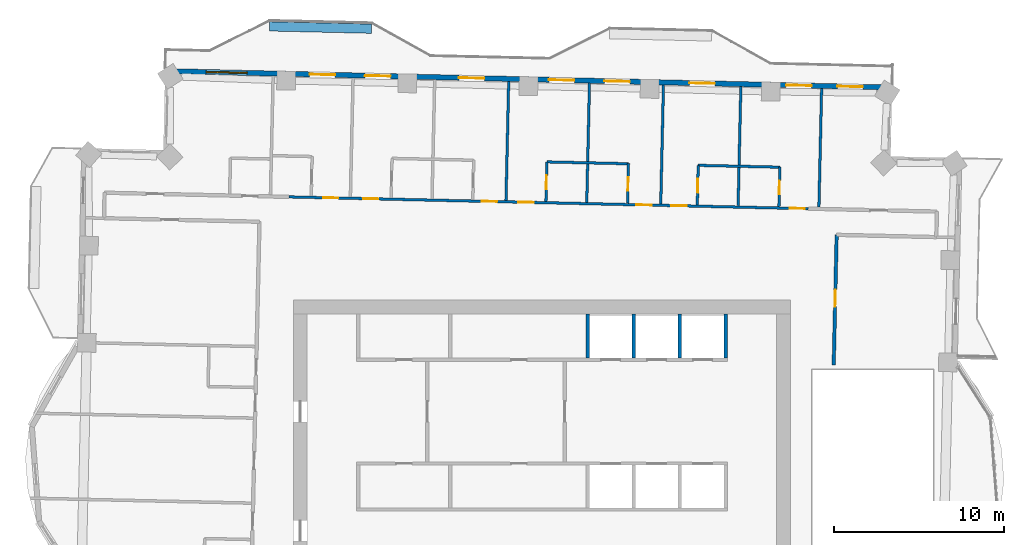
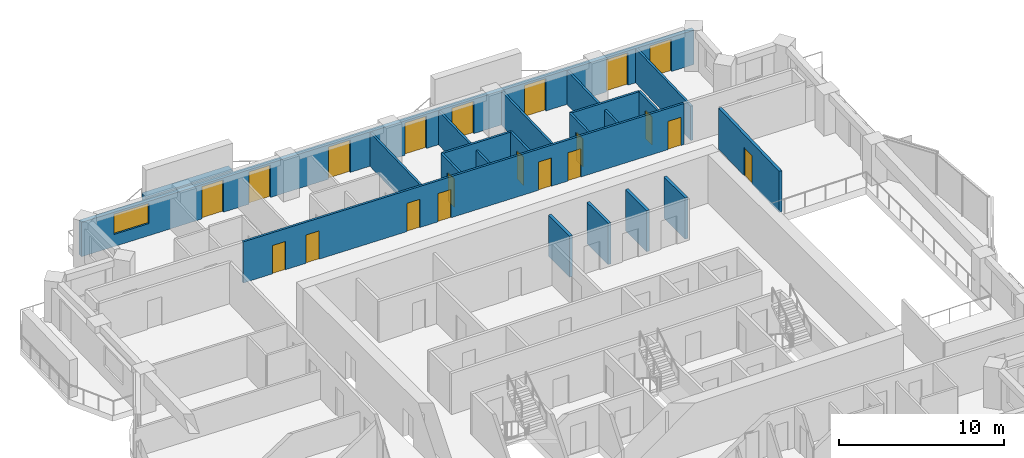
# One storey, part 11 of 16: 20 doors, 19 walls, 1 window, 21 openings.
"""IFC4 building model written with IfcOpenShell, lengths in metres."""

from ifc_helpers import new_model, si_unit, direction, frame, frame_2d, origin, place, context, subcontext, project, spatial, rectangle, extrude, material, layer, layer_set, type_object, element, fill, save


model = new_model("IFC4")

# Units and contexts
model_context = context("Model", 3, precision=1e-05, world=origin(), true_north=direction((0.0, 1.0)))
body_context = subcontext(model_context, "Body", "Model", "MODEL_VIEW")
ifc_project = project(units=[si_unit("LENGTHUNIT", "METRE"), si_unit("AREAUNIT", "SQUARE_METRE"), si_unit("VOLUMEUNIT", "CUBIC_METRE"), si_unit("PLANEANGLEUNIT", "RADIAN"), si_unit("MASSUNIT", "GRAM", prefix="KILO")], contexts=[model_context])

# Site, building, storey
site_placement = place(None, origin())
site = spatial("IfcSite", under=ifc_project, at=site_placement, CompositionType="ELEMENT")
building_placement = place(site_placement, origin())
building = spatial("IfcBuilding", under=site, at=building_placement, Name="Mangrove Gate Tower", CompositionType="ELEMENT")
storey_placement = place(building_placement, frame((0.0, 0.0, 215.89990234375)))
storey = spatial("IfcBuildingStorey", under=building, at=storey_placement, Name="L55", CompositionType="ELEMENT", Elevation=215.89990234375)

# Walls
ifc_material_1 = material(Name="Concrete C60/75", Category="concrete")
ifc_layer_1 = layer(ifc_material_1, 0.199951171875)
ifc_layer_set_1 = layer_set([ifc_layer_1], Name="Core shaft wall 200 C60/75")
wall_type_1 = type_object("IfcWallType", Name="Core shaft wall 200 C60/75", PredefinedType="SHEAR", material=ifc_layer_set_1)
for number, where, z_axis, x_axis, name in (
    (1, (2.699951171875, 8.199951171875, 0.0), (0.0, 0.0, 1.0), (0.0, 1.0, 0.0), "WALL-L55-CORE-27"),
    (2, (5.39990234375, 8.199951171875, 0.0), (0.0, 0.0, 1.0), (0.0, 1.0, 0.0), "WALL-L55-CORE-28"),
    (3, (8.10009765625, 8.199951171875, 0.0), (0.0, 0.0, 1.0), (0.0, 1.0, 0.0), "WALL-L55-CORE-29"),
    (4, (10.800048828125, 8.199951171875, 0.0), (0.0, 0.0, 1.0), (0.0, 1.0, 0.0), "WALL-L55-CORE-30"),
):
    element("IfcWall", number, at=place(storey_placement, frame(where, z_axis=z_axis, x_axis=x_axis)), inside=storey, type_object=wall_type_1, Name=name, PredefinedType="SHEAR", context=body_context, shape_type="SweptSolid", body=[
        extrude(rectangle(XDim=2.60009765625, YDim=0.199951171875, at=frame_2d((1.300048828125, 0.0))), origin(), (0.0, 0.0, 1.0), 3.050048828125),
    ])

# Wall, opening, door
ifc_material_2 = material(Name="Gypsum board on steel stud, EI 60", Category="steel")
ifc_layer_2 = layer(ifc_material_2, 0.199951171875)
ifc_layer_set_2 = layer_set([ifc_layer_2], Name="Corridor wall EI 60")
wall_type_2 = type_object("IfcWallType", Name="Corridor wall EI 60", PredefinedType="PARTITIONING", material=ifc_layer_set_2)
wall_1_placement = place(storey_placement, frame((17.154052734375, 7.785888671875, 0.0), z_axis=(0.0, 0.0, 1.0), x_axis=(0.022680883318, 0.999742755679, 0.0)))
wall_1 = element("IfcWall", 5, at=wall_1_placement, inside=storey, type_object=wall_type_2, Name="WALL-L55-043", PredefinedType="PARTITIONING", context=body_context, shape_type="SweptSolid", body=[
    extrude(rectangle(XDim=7.6640625, YDim=0.199951171875, at=frame_2d((3.83203125, 0.0))), origin(), (0.0, 0.0, 1.0), 3.050048828125),
])
opening_1_placement = place(wall_1_placement, frame((3.43408203125, 0.0, 0.0)))
opening_1 = element("IfcOpeningElement", 6, at=opening_1_placement, cuts=wall_1, Name="Opening AD", PredefinedType="OPENING", context=body_context, shape_type="SweptSolid", body=[
    extrude(rectangle(XDim=1.0, YDim=2.10009765625, at=frame_2d((0.5, 1.050048828125))), frame((0.0, 0.10986328125, 0.0), z_axis=(0.0, -1.0, 0.0), x_axis=(1.0, 0.0, 0.0)), (0.0, 0.0, 1.0), 0.219970703125),
])
ifc_material_3 = material(Name="Timber door leaf", Category="wood")
door_type_1 = type_object("IfcDoorType", Name="Amenity door 1000", OperationType="SINGLE_SWING_LEFT", PredefinedType="DOOR", material=ifc_material_3)
door_1_placement = place(opening_1_placement, origin())
door_1 = element("IfcDoor", 7, at=door_1_placement, inside=storey, type_object=door_type_1, Name="DOOR-L55-LNG-c3b", OperationType="SINGLE_SWING_RIGHT", OverallHeight=2.10009765625, OverallWidth=1.0, PredefinedType="DOOR", context=body_context, shape_type="SweptSolid", body=[
    extrude(rectangle(XDim=1.0, YDim=2.10009765625, at=frame_2d((0.5, 1.050048828125))), frame((0.0, 0.02490234375, 0.0), z_axis=(0.0, -1.0, 0.0), x_axis=(1.0, 0.0, 0.0)), (0.0, 0.0, 1.0), 0.050048828125),
])
fill(opening_1, door_1)

# Wall, openings, doors, window
ifc_material_4 = material(Name="Limestone", Category="masonry")
ifc_layer_3 = layer(ifc_material_4, 0.0400390625, Name="Limestone cladding")
ifc_material_5 = material(Name="Ventilated air gap")
ifc_layer_4 = layer(ifc_material_5, 0.0400390625, Name="Ventilated cavity")
ifc_material_6 = material(Name="Mineral wool insulation")
ifc_layer_5 = layer(ifc_material_6, 0.06005859375, Name="Insulation")
ifc_material_7 = material(Name="Breather membrane")
ifc_layer_6 = layer(ifc_material_7, 0.001953125, Name="Breather membrane")
ifc_material_8 = material(Name="Concrete C20/25 blockwork", Category="masonry")
ifc_layer_7 = layer(ifc_material_8, 0.14990234375, Name="Blockwork backing wall")
ifc_material_9 = material(Name="Gypsum plaster")
ifc_layer_8 = layer(ifc_material_9, 0.008056640625, Name="Internal plaster")
ifc_layer_set_3 = layer_set([ifc_layer_3, ifc_layer_4, ifc_layer_5, ifc_layer_6, ifc_layer_7, ifc_layer_8], Name="External wall 300 limestone cladding")
wall_type_3 = type_object("IfcWallType", Name="External wall 300 limestone cladding", PredefinedType="SOLIDWALL", material=ifc_layer_set_3)
wall_2_placement = place(storey_placement, frame((20.43701171875, 24.10595703125, 0.0), z_axis=(0.0, 0.0, 1.0), x_axis=(-0.999742506232, 0.022691875925, 0.0)))
wall_2 = element("IfcWall", 8, at=wall_2_placement, inside=storey, type_object=wall_type_3, Name="WALL-L55-N5", PredefinedType="SOLIDWALL", context=body_context, shape_type="SweptSolid", body=[
    extrude(rectangle(XDim=42.444091796875, YDim=0.300048828125, at=frame_2d((21.22216796875, 0.0))), origin(), (0.0, 0.0, 1.0), 2.550048828125),
])
opening_2_placement = place(wall_2_placement, frame((1.56298828125, 0.0, 0.0)))
opening_2 = element("IfcOpeningElement", 9, at=opening_2_placement, cuts=wall_2, Name="Opening BD1", PredefinedType="OPENING", context=body_context, shape_type="SweptSolid", body=[
    extrude(rectangle(XDim=1.5, YDim=2.39990234375, at=frame_2d((0.75, 1.199951171875))), frame((0.0, 0.159912109375, 0.0), z_axis=(0.0, -1.0, 0.0), x_axis=(1.0, 0.0, 0.0)), (0.0, 0.0, 1.0), 0.320068359375),
])
opening_3_placement = place(wall_2_placement, frame((4.583984375, 0.0, 0.0)))
opening_3 = element("IfcOpeningElement", 10, at=opening_3_placement, cuts=wall_2, Name="Opening BD1", PredefinedType="OPENING", context=body_context, shape_type="SweptSolid", body=[
    extrude(rectangle(XDim=1.5, YDim=2.39990234375, at=frame_2d((0.75, 1.199951171875))), frame((0.0, 0.159912109375, 0.0), z_axis=(0.0, -1.0, 0.0), x_axis=(1.0, 0.0, 0.0)), (0.0, 0.0, 1.0), 0.320068359375),
])
opening_4_placement = place(wall_2_placement, frame((10.26904296875, 0.0, 0.0)))
opening_4 = element("IfcOpeningElement", 11, at=opening_4_placement, cuts=wall_2, Name="Opening BD1", PredefinedType="OPENING", context=body_context, shape_type="SweptSolid", body=[
    extrude(rectangle(XDim=1.5, YDim=2.39990234375, at=frame_2d((0.75, 1.199951171875))), frame((0.0, 0.159912109375, 0.0), z_axis=(0.0, -1.0, 0.0), x_axis=(1.0, 0.0, 0.0)), (0.0, 0.0, 1.0), 0.320068359375),
])
opening_5_placement = place(wall_2_placement, frame((15.27099609375, 0.0, 0.0)))
opening_5 = element("IfcOpeningElement", 12, at=opening_5_placement, cuts=wall_2, Name="Opening BD1", PredefinedType="OPENING", context=body_context, shape_type="SweptSolid", body=[
    extrude(rectangle(XDim=1.5, YDim=2.39990234375, at=frame_2d((0.75, 1.199951171875))), frame((0.0, 0.159912109375, 0.0), z_axis=(0.0, -1.0, 0.0), x_axis=(1.0, 0.0, 0.0)), (0.0, 0.0, 1.0), 0.320068359375),
])
opening_6_placement = place(wall_2_placement, frame((18.532958984375, 0.0, 0.0)))
opening_6 = element("IfcOpeningElement", 13, at=opening_6_placement, cuts=wall_2, Name="Opening BD1", PredefinedType="OPENING", context=body_context, shape_type="SweptSolid", body=[
    extrude(rectangle(XDim=1.5, YDim=2.39990234375, at=frame_2d((0.75, 1.199951171875))), frame((0.0, 0.159912109375, 0.0), z_axis=(0.0, -1.0, 0.0), x_axis=(1.0, 0.0, 0.0)), (0.0, 0.0, 1.0), 0.320068359375),
])
opening_7_placement = place(wall_2_placement, frame((23.819091796875, 0.0, 0.0)))
opening_7 = element("IfcOpeningElement", 14, at=opening_7_placement, cuts=wall_2, Name="Opening BD1", PredefinedType="OPENING", context=body_context, shape_type="SweptSolid", body=[
    extrude(rectangle(XDim=1.5, YDim=2.39990234375, at=frame_2d((0.75, 1.199951171875))), frame((0.0, 0.159912109375, 0.0), z_axis=(0.0, -1.0, 0.0), x_axis=(1.0, 0.0, 0.0)), (0.0, 0.0, 1.0), 0.320068359375),
])
opening_8_placement = place(wall_2_placement, frame((29.344970703125, 0.0, 0.0)))
opening_8 = element("IfcOpeningElement", 15, at=opening_8_placement, cuts=wall_2, Name="Opening BD1", PredefinedType="OPENING", context=body_context, shape_type="SweptSolid", body=[
    extrude(rectangle(XDim=1.5, YDim=2.39990234375, at=frame_2d((0.75, 1.199951171875))), frame((0.0, 0.159912109375, 0.0), z_axis=(0.0, -1.0, 0.0), x_axis=(1.0, 0.0, 0.0)), (0.0, 0.0, 1.0), 0.320068359375),
])
opening_9_placement = place(wall_2_placement, frame((32.60693359375, 0.0, 0.0)))
opening_9 = element("IfcOpeningElement", 16, at=opening_9_placement, cuts=wall_2, Name="Opening BD1", PredefinedType="OPENING", context=body_context, shape_type="SweptSolid", body=[
    extrude(rectangle(XDim=1.5, YDim=2.39990234375, at=frame_2d((0.75, 1.199951171875))), frame((0.0, 0.159912109375, 0.0), z_axis=(0.0, -1.0, 0.0), x_axis=(1.0, 0.0, 0.0)), (0.0, 0.0, 1.0), 0.320068359375),
])
opening_10_placement = place(wall_2_placement, frame((37.782958984375, 0.0, 0.89990234375)))
opening_10 = element("IfcOpeningElement", 17, at=opening_10_placement, cuts=wall_2, Name="Opening W2", PredefinedType="OPENING", context=body_context, shape_type="SweptSolid", body=[
    extrude(rectangle(XDim=2.39990234375, YDim=1.5, at=frame_2d((1.199951171875, 0.75))), frame((0.0, 0.159912109375, 0.0), z_axis=(0.0, -1.0, 0.0), x_axis=(1.0, 0.0, 0.0)), (0.0, 0.0, 1.0), 0.320068359375),
])
ifc_material_10 = material(Name="Aluminium frame with laminated clear glass", Category="aluminium")
door_type_2 = type_object("IfcDoorType", Name="Balcony sliding door 1500x2400", OperationType="SLIDING_TO_LEFT", PredefinedType="DOOR", material=ifc_material_10)
door_2_placement = place(opening_2_placement, origin())
door_2 = element("IfcDoor", 18, at=door_2_placement, inside=storey, type_object=door_type_2, Name="DOOR-L55-N5-1", OperationType="SLIDING_TO_LEFT", OverallHeight=2.39990234375, OverallWidth=1.5, PredefinedType="DOOR", context=body_context, shape_type="SweptSolid", body=[
    extrude(rectangle(XDim=1.5, YDim=2.39990234375, at=frame_2d((0.75, 1.199951171875))), frame((0.0, 0.02490234375, 0.0), z_axis=(0.0, -1.0, 0.0), x_axis=(1.0, 0.0, 0.0)), (0.0, 0.0, 1.0), 0.050048828125),
])
fill(opening_2, door_2)
door_3_placement = place(opening_3_placement, origin())
door_3 = element("IfcDoor", 19, at=door_3_placement, inside=storey, type_object=door_type_2, Name="DOOR-L55-N5-2", OperationType="SLIDING_TO_LEFT", OverallHeight=2.39990234375, OverallWidth=1.5, PredefinedType="DOOR", context=body_context, shape_type="SweptSolid", body=[
    extrude(rectangle(XDim=1.5, YDim=2.39990234375, at=frame_2d((0.75, 1.199951171875))), frame((0.0, 0.02490234375, 0.0), z_axis=(0.0, -1.0, 0.0), x_axis=(1.0, 0.0, 0.0)), (0.0, 0.0, 1.0), 0.050048828125),
])
fill(opening_3, door_3)
door_4_placement = place(opening_4_placement, origin())
door_4 = element("IfcDoor", 20, at=door_4_placement, inside=storey, type_object=door_type_2, Name="DOOR-L55-N5-3", OperationType="SLIDING_TO_LEFT", OverallHeight=2.39990234375, OverallWidth=1.5, PredefinedType="DOOR", context=body_context, shape_type="SweptSolid", body=[
    extrude(rectangle(XDim=1.5, YDim=2.39990234375, at=frame_2d((0.75, 1.199951171875))), frame((0.0, 0.02490234375, 0.0), z_axis=(0.0, -1.0, 0.0), x_axis=(1.0, 0.0, 0.0)), (0.0, 0.0, 1.0), 0.050048828125),
])
fill(opening_4, door_4)
door_5_placement = place(opening_5_placement, origin())
door_5 = element("IfcDoor", 21, at=door_5_placement, inside=storey, type_object=door_type_2, Name="DOOR-L55-N5-4", OperationType="SLIDING_TO_LEFT", OverallHeight=2.39990234375, OverallWidth=1.5, PredefinedType="DOOR", context=body_context, shape_type="SweptSolid", body=[
    extrude(rectangle(XDim=1.5, YDim=2.39990234375, at=frame_2d((0.75, 1.199951171875))), frame((0.0, 0.02490234375, 0.0), z_axis=(0.0, -1.0, 0.0), x_axis=(1.0, 0.0, 0.0)), (0.0, 0.0, 1.0), 0.050048828125),
])
fill(opening_5, door_5)
door_6_placement = place(opening_6_placement, origin())
door_6 = element("IfcDoor", 22, at=door_6_placement, inside=storey, type_object=door_type_2, Name="DOOR-L55-N5-5", OperationType="SLIDING_TO_LEFT", OverallHeight=2.39990234375, OverallWidth=1.5, PredefinedType="DOOR", context=body_context, shape_type="SweptSolid", body=[
    extrude(rectangle(XDim=1.5, YDim=2.39990234375, at=frame_2d((0.75, 1.199951171875))), frame((0.0, 0.02490234375, 0.0), z_axis=(0.0, -1.0, 0.0), x_axis=(1.0, 0.0, 0.0)), (0.0, 0.0, 1.0), 0.050048828125),
])
fill(opening_6, door_6)
door_7_placement = place(opening_7_placement, origin())
door_7 = element("IfcDoor", 23, at=door_7_placement, inside=storey, type_object=door_type_2, Name="DOOR-L55-N5-6", OperationType="SLIDING_TO_LEFT", OverallHeight=2.39990234375, OverallWidth=1.5, PredefinedType="DOOR", context=body_context, shape_type="SweptSolid", body=[
    extrude(rectangle(XDim=1.5, YDim=2.39990234375, at=frame_2d((0.75, 1.199951171875))), frame((0.0, 0.02490234375, 0.0), z_axis=(0.0, -1.0, 0.0), x_axis=(1.0, 0.0, 0.0)), (0.0, 0.0, 1.0), 0.050048828125),
])
fill(opening_7, door_7)
door_8_placement = place(opening_8_placement, origin())
door_8 = element("IfcDoor", 24, at=door_8_placement, inside=storey, type_object=door_type_2, Name="DOOR-L55-N5-7", OperationType="SLIDING_TO_LEFT", OverallHeight=2.39990234375, OverallWidth=1.5, PredefinedType="DOOR", context=body_context, shape_type="SweptSolid", body=[
    extrude(rectangle(XDim=1.5, YDim=2.39990234375, at=frame_2d((0.75, 1.199951171875))), frame((0.0, 0.02490234375, 0.0), z_axis=(0.0, -1.0, 0.0), x_axis=(1.0, 0.0, 0.0)), (0.0, 0.0, 1.0), 0.050048828125),
])
fill(opening_8, door_8)
door_9_placement = place(opening_9_placement, origin())
door_9 = element("IfcDoor", 25, at=door_9_placement, inside=storey, type_object=door_type_2, Name="DOOR-L55-N5-8", OperationType="SLIDING_TO_LEFT", OverallHeight=2.39990234375, OverallWidth=1.5, PredefinedType="DOOR", context=body_context, shape_type="SweptSolid", body=[
    extrude(rectangle(XDim=1.5, YDim=2.39990234375, at=frame_2d((0.75, 1.199951171875))), frame((0.0, 0.02490234375, 0.0), z_axis=(0.0, -1.0, 0.0), x_axis=(1.0, 0.0, 0.0)), (0.0, 0.0, 1.0), 0.050048828125),
])
fill(opening_9, door_9)
ifc_material_11 = material(Name="Aluminium frame with double-glazed low-e glass", Category="aluminium")
window_type = type_object("IfcWindowType", Name="Corner room window 2400x1500", PartitioningType="DOUBLE_PANEL_VERTICAL", PredefinedType="WINDOW", material=ifc_material_11)
window_placement = place(opening_10_placement, origin())
window = element("IfcWindow", 26, at=window_placement, inside=storey, type_object=window_type, Name="WIN-L55-N5-9", OverallHeight=1.5, OverallWidth=2.39990234375, PartitioningType="DOUBLE_PANEL_VERTICAL", PredefinedType="WINDOW", context=body_context, shape_type="SweptSolid", body=[
    extrude(rectangle(XDim=2.39990234375, YDim=1.5, at=frame_2d((1.199951171875, 0.75))), frame((0.0, 0.030029296875, 0.0), z_axis=(0.0, -1.0, 0.0), x_axis=(1.0, 0.0, 0.0)), (0.0, 0.0, 1.0), 0.06005859375),
])
fill(opening_10, window)

# Wall, openings, doors
ifc_material_12 = material(Name="Gypsum board on steel stud, EI 60", Category="steel")
ifc_layer_9 = layer(ifc_material_12, 0.14990234375)
ifc_layer_set_4 = layer_set([ifc_layer_9], Name="Party wall 150 EI 60")
wall_type_4 = type_object("IfcWallType", Name="Party wall 150 EI 60", PredefinedType="PARTITIONING", material=ifc_layer_set_4)
wall_3_placement = place(storey_placement, frame((-14.87109375, 17.675048828125, 0.0), z_axis=(0.0, 0.0, 1.0), x_axis=(0.999742359486, -0.02269834024, 0.0)))
wall_3 = element("IfcWall", 27, at=wall_3_placement, inside=storey, type_object=wall_type_4, Name="WALL-L55-052", PredefinedType="PARTITIONING", context=body_context, shape_type="SweptSolid", body=[
    extrude(rectangle(XDim=30.535888671875, YDim=0.14990234375, at=frame_2d((15.26806640625, 0.0))), origin(), (0.0, 0.0, 1.0), 3.050048828125),
])
opening_11_placement = place(wall_3_placement, frame((29.43603515625, 0.0, 0.0)))
opening_11 = element("IfcOpeningElement", 28, at=opening_11_placement, cuts=wall_3, Name="Opening BD", PredefinedType="OPENING", context=body_context, shape_type="SweptSolid", body=[
    extrude(rectangle(XDim=0.89990234375, YDim=2.10009765625, at=frame_2d((0.449951171875, 1.050048828125))), frame((0.0, 0.0849609375, 0.0), z_axis=(0.0, -1.0, 0.0), x_axis=(1.0, 0.0, 0.0)), (0.0, 0.0, 1.0), 0.169921875),
])
opening_12_placement = place(wall_3_placement, frame((22.48388671875, 0.0, 0.0)))
opening_12 = element("IfcOpeningElement", 29, at=opening_12_placement, cuts=wall_3, Name="Opening BD", PredefinedType="OPENING", context=body_context, shape_type="SweptSolid", body=[
    extrude(rectangle(XDim=0.89990234375, YDim=2.10009765625, at=frame_2d((0.449951171875, 1.050048828125))), frame((0.0, 0.0849609375, 0.0), z_axis=(0.0, -1.0, 0.0), x_axis=(1.0, 0.0, 0.0)), (0.0, 0.0, 1.0), 0.169921875),
])
opening_13_placement = place(wall_3_placement, frame((20.43408203125, 0.0, 0.0)))
opening_13 = element("IfcOpeningElement", 30, at=opening_13_placement, cuts=wall_3, Name="Opening BD", PredefinedType="OPENING", context=body_context, shape_type="SweptSolid", body=[
    extrude(rectangle(XDim=0.89990234375, YDim=2.10009765625, at=frame_2d((0.449951171875, 1.050048828125))), frame((0.0, 0.0849609375, 0.0), z_axis=(0.0, -1.0, 0.0), x_axis=(1.0, 0.0, 0.0)), (0.0, 0.0, 1.0), 0.169921875),
])
opening_14_placement = place(wall_3_placement, frame((13.48388671875, 0.0, 0.0)))
opening_14 = element("IfcOpeningElement", 31, at=opening_14_placement, cuts=wall_3, Name="Opening BD", PredefinedType="OPENING", context=body_context, shape_type="SweptSolid", body=[
    extrude(rectangle(XDim=0.89990234375, YDim=2.10009765625, at=frame_2d((0.449951171875, 1.050048828125))), frame((0.0, 0.0849609375, 0.0), z_axis=(0.0, -1.0, 0.0), x_axis=(1.0, 0.0, 0.0)), (0.0, 0.0, 1.0), 0.169921875),
])
opening_15_placement = place(wall_3_placement, frame((11.333984375, 0.0, 0.0)))
opening_15 = element("IfcOpeningElement", 32, at=opening_15_placement, cuts=wall_3, Name="Opening BD", PredefinedType="OPENING", context=body_context, shape_type="SweptSolid", body=[
    extrude(rectangle(XDim=0.89990234375, YDim=2.10009765625, at=frame_2d((0.449951171875, 1.050048828125))), frame((0.0, 0.0849609375, 0.0), z_axis=(0.0, -1.0, 0.0), x_axis=(1.0, 0.0, 0.0)), (0.0, 0.0, 1.0), 0.169921875),
])
opening_16_placement = place(wall_3_placement, frame((4.35888671875, 0.0, 0.0)))
opening_16 = element("IfcOpeningElement", 33, at=opening_16_placement, cuts=wall_3, Name="Opening BD", PredefinedType="OPENING", context=body_context, shape_type="SweptSolid", body=[
    extrude(rectangle(XDim=0.89990234375, YDim=2.10009765625, at=frame_2d((0.449951171875, 1.050048828125))), frame((0.0, 0.0849609375, 0.0), z_axis=(0.0, -1.0, 0.0), x_axis=(1.0, 0.0, 0.0)), (0.0, 0.0, 1.0), 0.169921875),
])
opening_17_placement = place(wall_3_placement, frame((2.009033203125, 0.0, 0.0)))
opening_17 = element("IfcOpeningElement", 34, at=opening_17_placement, cuts=wall_3, Name="Opening BD", PredefinedType="OPENING", context=body_context, shape_type="SweptSolid", body=[
    extrude(rectangle(XDim=0.89990234375, YDim=2.10009765625, at=frame_2d((0.449951171875, 1.050048828125))), frame((0.0, 0.0849609375, 0.0), z_axis=(0.0, -1.0, 0.0), x_axis=(1.0, 0.0, 0.0)), (0.0, 0.0, 1.0), 0.169921875),
])
ifc_material_13 = material(Name="Timber door leaf", Category="wood")
door_type_3 = type_object("IfcDoorType", Name="Bedroom door 900", OperationType="SINGLE_SWING_LEFT", PredefinedType="DOOR", material=ifc_material_13)
door_10_placement = place(opening_11_placement, origin())
door_10 = element("IfcDoor", 35, at=door_10_placement, inside=storey, type_object=door_type_3, Name="DOOR-L55-BED-c308", OperationType="SINGLE_SWING_RIGHT", OverallHeight=2.10009765625, OverallWidth=0.89990234375, PredefinedType="DOOR", context=body_context, shape_type="SweptSolid", body=[
    extrude(rectangle(XDim=0.89990234375, YDim=2.10009765625, at=frame_2d((0.449951171875, 1.050048828125))), frame((0.0, 0.02490234375, 0.0), z_axis=(0.0, -1.0, 0.0), x_axis=(1.0, 0.0, 0.0)), (0.0, 0.0, 1.0), 0.050048828125),
])
fill(opening_11, door_10)
door_11_placement = place(opening_12_placement, origin())
door_11 = element("IfcDoor", 36, at=door_11_placement, inside=storey, type_object=door_type_3, Name="DOOR-L55-BED-c309", OperationType="SINGLE_SWING_LEFT", OverallHeight=2.10009765625, OverallWidth=0.89990234375, PredefinedType="DOOR", context=body_context, shape_type="SweptSolid", body=[
    extrude(rectangle(XDim=0.89990234375, YDim=2.10009765625, at=frame_2d((0.449951171875, 1.050048828125))), frame((0.0, 0.02490234375, 0.0), z_axis=(0.0, -1.0, 0.0), x_axis=(1.0, 0.0, 0.0)), (0.0, 0.0, 1.0), 0.050048828125),
])
fill(opening_12, door_11)
door_12_placement = place(opening_13_placement, origin())
door_12 = element("IfcDoor", 37, at=door_12_placement, inside=storey, type_object=door_type_3, Name="DOOR-L55-BED-c410", OperationType="SINGLE_SWING_RIGHT", OverallHeight=2.10009765625, OverallWidth=0.89990234375, PredefinedType="DOOR", context=body_context, shape_type="SweptSolid", body=[
    extrude(rectangle(XDim=0.89990234375, YDim=2.10009765625, at=frame_2d((0.449951171875, 1.050048828125))), frame((0.0, 0.02490234375, 0.0), z_axis=(0.0, -1.0, 0.0), x_axis=(1.0, 0.0, 0.0)), (0.0, 0.0, 1.0), 0.050048828125),
])
fill(opening_13, door_12)
door_13_placement = place(opening_14_placement, origin())
door_13 = element("IfcDoor", 38, at=door_13_placement, inside=storey, type_object=door_type_3, Name="DOOR-L55-BED-c411", OperationType="SINGLE_SWING_LEFT", OverallHeight=2.10009765625, OverallWidth=0.89990234375, PredefinedType="DOOR", context=body_context, shape_type="SweptSolid", body=[
    extrude(rectangle(XDim=0.89990234375, YDim=2.10009765625, at=frame_2d((0.449951171875, 1.050048828125))), frame((0.0, 0.02490234375, 0.0), z_axis=(0.0, -1.0, 0.0), x_axis=(1.0, 0.0, 0.0)), (0.0, 0.0, 1.0), 0.050048828125),
])
fill(opening_14, door_13)
door_14_placement = place(opening_15_placement, origin())
door_14 = element("IfcDoor", 39, at=door_14_placement, inside=storey, type_object=door_type_3, Name="DOOR-L55-BED-c412", OperationType="SINGLE_SWING_RIGHT", OverallHeight=2.10009765625, OverallWidth=0.89990234375, PredefinedType="DOOR", context=body_context, shape_type="SweptSolid", body=[
    extrude(rectangle(XDim=0.89990234375, YDim=2.10009765625, at=frame_2d((0.449951171875, 1.050048828125))), frame((0.0, 0.02490234375, 0.0), z_axis=(0.0, -1.0, 0.0), x_axis=(1.0, 0.0, 0.0)), (0.0, 0.0, 1.0), 0.050048828125),
])
fill(opening_15, door_14)
door_15_placement = place(opening_16_placement, origin())
door_15 = element("IfcDoor", 40, at=door_15_placement, inside=storey, type_object=door_type_3, Name="DOOR-L55-BED-c513", OperationType="SINGLE_SWING_LEFT", OverallHeight=2.10009765625, OverallWidth=0.89990234375, PredefinedType="DOOR", context=body_context, shape_type="SweptSolid", body=[
    extrude(rectangle(XDim=0.89990234375, YDim=2.10009765625, at=frame_2d((0.449951171875, 1.050048828125))), frame((0.0, 0.02490234375, 0.0), z_axis=(0.0, -1.0, 0.0), x_axis=(1.0, 0.0, 0.0)), (0.0, 0.0, 1.0), 0.050048828125),
])
fill(opening_16, door_15)
door_16_placement = place(opening_17_placement, origin())
door_16 = element("IfcDoor", 41, at=door_16_placement, inside=storey, type_object=door_type_3, Name="DOOR-L55-BED-c514", OperationType="SINGLE_SWING_RIGHT", OverallHeight=2.10009765625, OverallWidth=0.89990234375, PredefinedType="DOOR", context=body_context, shape_type="SweptSolid", body=[
    extrude(rectangle(XDim=0.89990234375, YDim=2.10009765625, at=frame_2d((0.449951171875, 1.050048828125))), frame((0.0, 0.02490234375, 0.0), z_axis=(0.0, -1.0, 0.0), x_axis=(1.0, 0.0, 0.0)), (0.0, 0.0, 1.0), 0.050048828125),
])
fill(opening_17, door_16)

# Wall
wall_4_placement = place(storey_placement, frame((-2.111083984375, 17.465087890625, 0.0), z_axis=(0.0, 0.0, 1.0), x_axis=(0.022597827698, 0.999744636486, 0.0)))
element("IfcWall", 42, at=wall_4_placement, inside=storey, type_object=wall_type_4, Name="WALL-L55-061", PredefinedType="PARTITIONING", context=body_context, shape_type="SweptSolid", body=[
    extrude(rectangle(XDim=7.000732421875, YDim=0.14990234375, at=frame_2d((3.50048828125, 0.0))), origin(), (0.0, 0.0, 1.0), 2.5),
])

# Wall, opening, door
wall_5_placement = place(storey_placement, frame((0.238037109375, 17.410888671875, 0.0), z_axis=(0.0, 0.0, 1.0), x_axis=(0.022778632478, 0.99974053329, 0.0)))
wall_5 = element("IfcWall", 43, at=wall_5_placement, inside=storey, type_object=wall_type_4, Name="WALL-L55-062", PredefinedType="PARTITIONING", context=body_context, shape_type="SweptSolid", body=[
    extrude(rectangle(XDim=2.32568359375, YDim=0.14990234375, at=frame_2d((1.162841796875, 0.0))), origin(), (0.0, 0.0, 1.0), 3.050048828125),
])
opening_18_placement = place(wall_5_placement, frame((0.72509765625, 0.0, 0.0)))
opening_18 = element("IfcOpeningElement", 44, at=opening_18_placement, cuts=wall_5, Name="Opening ED", PredefinedType="OPENING", context=body_context, shape_type="SweptSolid", body=[
    extrude(rectangle(XDim=0.800048828125, YDim=2.10009765625, at=frame_2d((0.39990234375, 1.050048828125))), frame((0.0, 0.0849609375, 0.0), z_axis=(0.0, -1.0, 0.0), x_axis=(1.0, 0.0, 0.0)), (0.0, 0.0, 1.0), 0.169921875),
])
ifc_material_14 = material(Name="Timber door leaf", Category="wood")
door_type_4 = type_object("IfcDoorType", Name="En-suite door 800", OperationType="SINGLE_SWING_LEFT", PredefinedType="DOOR", material=ifc_material_14)
door_17_placement = place(opening_18_placement, origin())
door_17 = element("IfcDoor", 45, at=door_17_placement, inside=storey, type_object=door_type_4, Name="DOOR-L55-ENS-c411", OperationType="SINGLE_SWING_LEFT", OverallHeight=2.10009765625, OverallWidth=0.800048828125, PredefinedType="DOOR", context=body_context, shape_type="SweptSolid", body=[
    extrude(rectangle(XDim=0.800048828125, YDim=2.10009765625, at=frame_2d((0.39990234375, 1.050048828125))), frame((0.0, 0.02490234375, 0.0), z_axis=(0.0, -1.0, 0.0), x_axis=(1.0, 0.0, 0.0)), (0.0, 0.0, 1.0), 0.050048828125),
])
fill(opening_18, door_17)

# Wall
wall_6_placement = place(storey_placement, frame((2.636962890625, 17.35693359375, 0.0), z_axis=(0.0, 0.0, 1.0), x_axis=(0.022702393474, 0.999742267452, 0.0)))
element("IfcWall", 46, at=wall_6_placement, inside=storey, type_object=wall_type_4, Name="WALL-L55-063", PredefinedType="PARTITIONING", context=body_context, shape_type="SweptSolid", body=[
    extrude(rectangle(XDim=7.000732421875, YDim=0.14990234375, at=frame_2d((3.50048828125, 0.0))), origin(), (0.0, 0.0, 1.0), 2.5),
])

# Wall, opening, door
wall_7_placement = place(storey_placement, frame((5.037109375, 17.302001953125, 0.0), z_axis=(0.0, 0.0, 1.0), x_axis=(0.022781023197, 0.999740478815, 0.0)))
wall_7 = element("IfcWall", 47, at=wall_7_placement, inside=storey, type_object=wall_type_4, Name="WALL-L55-064", PredefinedType="PARTITIONING", context=body_context, shape_type="SweptSolid", body=[
    extrude(rectangle(XDim=2.325439453125, YDim=0.14990234375, at=frame_2d((1.16259765625, 0.0))), origin(), (0.0, 0.0, 1.0), 3.050048828125),
])
opening_19_placement = place(wall_7_placement, frame((0.72509765625, 0.0, 0.0)))
opening_19 = element("IfcOpeningElement", 48, at=opening_19_placement, cuts=wall_7, Name="Opening ED", PredefinedType="OPENING", context=body_context, shape_type="SweptSolid", body=[
    extrude(rectangle(XDim=0.800048828125, YDim=2.10009765625, at=frame_2d((0.39990234375, 1.050048828125))), frame((0.0, 0.0849609375, 0.0), z_axis=(0.0, -1.0, 0.0), x_axis=(1.0, 0.0, 0.0)), (0.0, 0.0, 1.0), 0.169921875),
])
door_18_placement = place(opening_19_placement, origin())
door_18 = element("IfcDoor", 49, at=door_18_placement, inside=storey, type_object=door_type_4, Name="DOOR-L55-ENS-c410", OperationType="SINGLE_SWING_RIGHT", OverallHeight=2.10009765625, OverallWidth=0.800048828125, PredefinedType="DOOR", context=body_context, shape_type="SweptSolid", body=[
    extrude(rectangle(XDim=0.800048828125, YDim=2.10009765625, at=frame_2d((0.39990234375, 1.050048828125))), frame((0.0, 0.02490234375, 0.0), z_axis=(0.0, -1.0, 0.0), x_axis=(1.0, 0.0, 0.0)), (0.0, 0.0, 1.0), 0.050048828125),
])
fill(opening_19, door_18)

# Wall
wall_8_placement = place(storey_placement, frame((6.986083984375, 17.258056640625, 0.0), z_axis=(0.0, 0.0, 1.0), x_axis=(0.022699227919, 0.999742339331, 0.0)))
element("IfcWall", 50, at=wall_8_placement, inside=storey, type_object=wall_type_4, Name="WALL-L55-065", PredefinedType="PARTITIONING", context=body_context, shape_type="SweptSolid", body=[
    extrude(rectangle(XDim=7.001708984375, YDim=0.14990234375, at=frame_2d((3.5009765625, 0.0))), origin(), (0.0, 0.0, 1.0), 2.5),
])

# Wall, opening, door
wall_9_placement = place(storey_placement, frame((9.135986328125, 17.208984375, 0.0), z_axis=(0.0, 0.0, 1.0), x_axis=(0.022781023197, 0.999740478815, 0.0)))
wall_9 = element("IfcWall", 51, at=wall_9_placement, inside=storey, type_object=wall_type_4, Name="WALL-L55-066", PredefinedType="PARTITIONING", context=body_context, shape_type="SweptSolid", body=[
    extrude(rectangle(XDim=2.325439453125, YDim=0.14990234375, at=frame_2d((1.16259765625, 0.0))), origin(), (0.0, 0.0, 1.0), 3.050048828125),
])
opening_20_placement = place(wall_9_placement, frame((0.72509765625, 0.0, 0.0)))
opening_20 = element("IfcOpeningElement", 52, at=opening_20_placement, cuts=wall_9, Name="Opening ED", PredefinedType="OPENING", context=body_context, shape_type="SweptSolid", body=[
    extrude(rectangle(XDim=0.800048828125, YDim=2.10009765625, at=frame_2d((0.39990234375, 1.050048828125))), frame((0.0, 0.0849609375, 0.0), z_axis=(0.0, -1.0, 0.0), x_axis=(1.0, 0.0, 0.0)), (0.0, 0.0, 1.0), 0.169921875),
])
door_19_placement = place(opening_20_placement, origin())
door_19 = element("IfcDoor", 53, at=door_19_placement, inside=storey, type_object=door_type_4, Name="DOOR-L55-ENS-c309", OperationType="SINGLE_SWING_LEFT", OverallHeight=2.10009765625, OverallWidth=0.800048828125, PredefinedType="DOOR", context=body_context, shape_type="SweptSolid", body=[
    extrude(rectangle(XDim=0.800048828125, YDim=2.10009765625, at=frame_2d((0.39990234375, 1.050048828125))), frame((0.0, 0.02490234375, 0.0), z_axis=(0.0, -1.0, 0.0), x_axis=(1.0, 0.0, 0.0)), (0.0, 0.0, 1.0), 0.050048828125),
])
fill(opening_20, door_19)

# Wall
wall_10_placement = place(storey_placement, frame((11.534912109375, 17.155029296875, 0.0), z_axis=(0.0, 0.0, 1.0), x_axis=(0.022737248567, 0.999741475346, 0.0)))
element("IfcWall", 54, at=wall_10_placement, inside=storey, type_object=wall_type_4, Name="WALL-L55-067", PredefinedType="PARTITIONING", context=body_context, shape_type="SweptSolid", body=[
    extrude(rectangle(XDim=7.000732421875, YDim=0.14990234375, at=frame_2d((3.50048828125, 0.0))), origin(), (0.0, 0.0, 1.0), 2.5),
])

# Wall, opening, door
wall_11_placement = place(storey_placement, frame((13.93505859375, 17.10107421875, 0.0), z_axis=(0.0, 0.0, 1.0), x_axis=(0.022370700241, 0.999749744571, 0.0)))
wall_11 = element("IfcWall", 55, at=wall_11_placement, inside=storey, type_object=wall_type_4, Name="WALL-L55-068", PredefinedType="PARTITIONING", context=body_context, shape_type="SweptSolid", body=[
    extrude(rectangle(XDim=2.324462890625, YDim=0.14990234375, at=frame_2d((1.162109375, 0.0))), origin(), (0.0, 0.0, 1.0), 3.050048828125),
])
opening_21_placement = place(wall_11_placement, frame((0.72509765625, 0.0, 0.0)))
opening_21 = element("IfcOpeningElement", 56, at=opening_21_placement, cuts=wall_11, Name="Opening ED", PredefinedType="OPENING", context=body_context, shape_type="SweptSolid", body=[
    extrude(rectangle(XDim=0.800048828125, YDim=2.10009765625, at=frame_2d((0.39990234375, 1.050048828125))), frame((0.0, 0.0849609375, 0.0), z_axis=(0.0, -1.0, 0.0), x_axis=(1.0, 0.0, 0.0)), (0.0, 0.0, 1.0), 0.169921875),
])
door_20_placement = place(opening_21_placement, origin())
door_20 = element("IfcDoor", 57, at=door_20_placement, inside=storey, type_object=door_type_4, Name="DOOR-L55-ENS-c308", OperationType="SINGLE_SWING_RIGHT", OverallHeight=2.10009765625, OverallWidth=0.800048828125, PredefinedType="DOOR", context=body_context, shape_type="SweptSolid", body=[
    extrude(rectangle(XDim=0.800048828125, YDim=2.10009765625, at=frame_2d((0.39990234375, 1.050048828125))), frame((0.0, 0.02490234375, 0.0), z_axis=(0.0, -1.0, 0.0), x_axis=(1.0, 0.0, 0.0)), (0.0, 0.0, 1.0), 0.050048828125),
])
fill(opening_21, door_20)

# Walls
wall_12_placement = place(storey_placement, frame((16.283935546875, 17.072021484375, 0.0), z_axis=(0.0, 0.0, 1.0), x_axis=(0.022815200701, 0.99973969943, 0.0)))
element("IfcWall", 58, at=wall_12_placement, inside=storey, type_object=wall_type_4, Name="WALL-L55-069", PredefinedType="PARTITIONING", context=body_context, shape_type="SweptSolid", body=[
    extrude(rectangle(XDim=6.976806640625, YDim=0.14990234375, at=frame_2d((3.48828125, 0.0))), origin(), (0.0, 0.0, 1.0), 2.550048828125),
])
wall_13_placement = place(storey_placement, frame((0.2890625, 19.73193359375, 0.0), z_axis=(0.0, 0.0, 1.0), x_axis=(0.999742570398, -0.022689048768, 0.0)))
element("IfcWall", 59, at=wall_13_placement, inside=storey, type_object=wall_type_4, Name="WALL-L55-073", PredefinedType="PARTITIONING", context=body_context, shape_type="SweptSolid", body=[
    extrude(rectangle(XDim=4.799072265625, YDim=0.14990234375, at=frame_2d((2.3994140625, 0.0))), origin(), (0.0, 0.0, 1.0), 3.050048828125),
])
wall_14_placement = place(storey_placement, frame((9.18603515625, 19.530029296875, 0.0), z_axis=(0.0, 0.0, 1.0), x_axis=(0.99974154664, -0.022734113616, 0.0)))
element("IfcWall", 60, at=wall_14_placement, inside=storey, type_object=wall_type_4, Name="WALL-L55-074", PredefinedType="PARTITIONING", context=body_context, shape_type="SweptSolid", body=[
    extrude(rectangle(XDim=4.80029296875, YDim=0.14990234375, at=frame_2d((2.400146484375, 0.0))), origin(), (0.0, 0.0, 1.0), 3.050048828125),
])
ifc_material_15 = material(Name="Concrete C32/40", Category="concrete")
ifc_layer_10 = layer(ifc_material_15, 0.199951171875, Name="Planter trough wall")
ifc_material_16 = material(Name="Bituminous waterproofing membrane")
ifc_layer_11 = layer(ifc_material_16, 0.0048828125, Name="Waterproofing")
ifc_material_17 = material(Name="Drainage board and gravel")
ifc_layer_12 = layer(ifc_material_17, 0.044921875, Name="Drainage layer")
ifc_material_18 = material(Name="Planting soil")
ifc_layer_13 = layer(ifc_material_18, 0.300048828125, Name="Growing medium")
ifc_layer_set_5 = layer_set([ifc_layer_10, ifc_layer_11, ifc_layer_12, ifc_layer_13], Name="Planter wall 550 C32/40")
wall_type_5 = type_object("IfcWallType", Name="Planter wall 550 C32/40", PredefinedType="USERDEFINED", material=ifc_layer_set_5)
wall_15_placement = place(storey_placement, frame((-16.011962890625, 27.698974609375, 0.0), z_axis=(0.0, 0.0, 1.0), x_axis=(0.999743094499, -0.022665943652, 0.0)))
element("IfcWall", 61, at=wall_15_placement, inside=storey, type_object=wall_type_5, Name="PLANTER L55 N1.1", ObjectType="PLANTER", PredefinedType="USERDEFINED", context=body_context, shape_type="SweptSolid", body=[
    extrude(rectangle(XDim=5.99951171875, YDim=0.550048828125, at=frame_2d((2.999755859375, 0.0))), origin(), (0.0, 0.0, 1.0), 0.800048828125),
])

save(model, "model.ifc")
